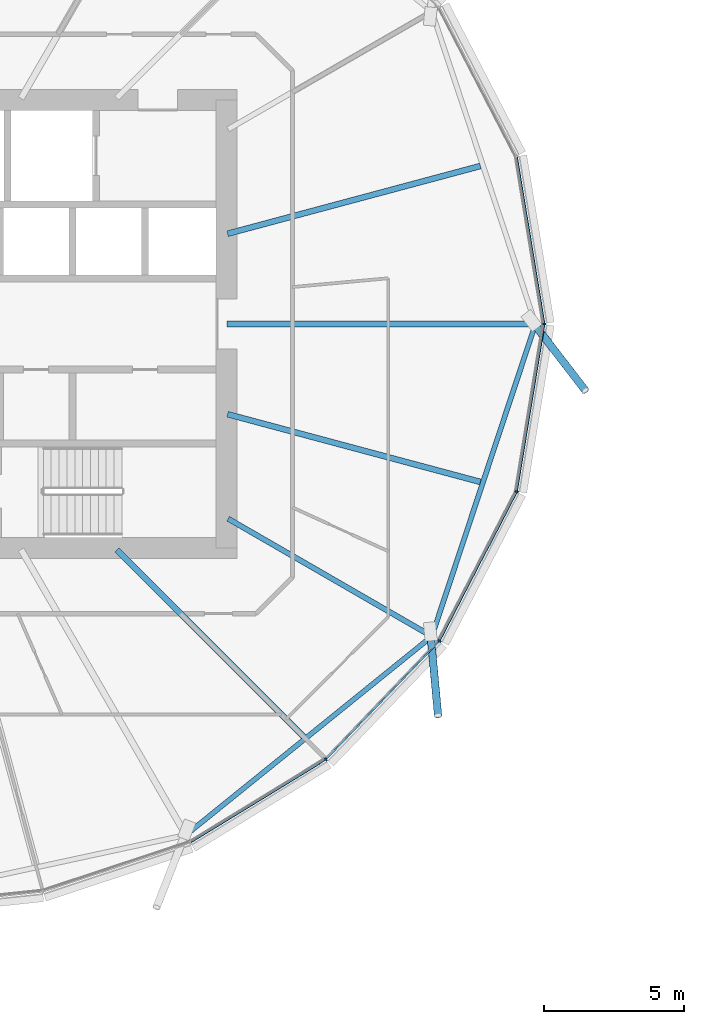
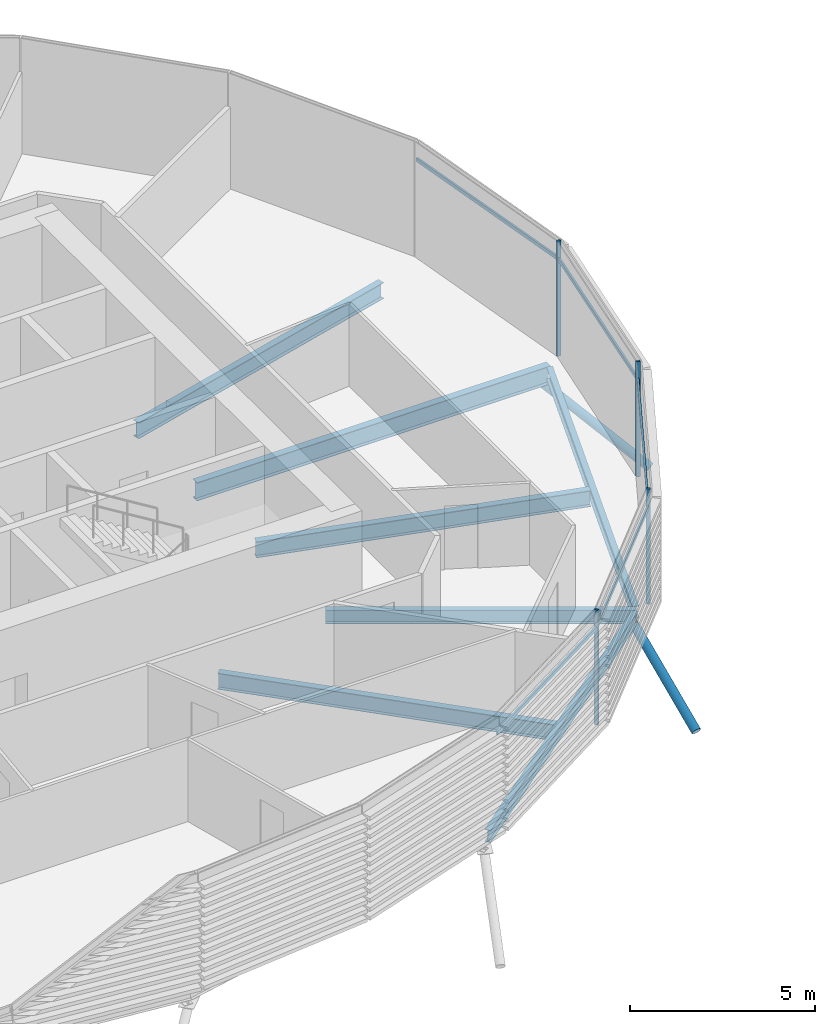
# One storey, part 7 of 39: 11 members, 7 beams, 1 element without a shape of its own.
"""IFC4 building model written with IfcOpenShell, lengths in metres."""

from ifc_helpers import new_model, si_unit, direction, frame, origin, origin_2d, place, context, subcontext, project, spatial, rectangle, hollow_circle, i_section, extrude, clip, halfspace, material, material_profile, profile_set, type_object, element, aggregate, save


model = new_model("IFC4")

# Units and contexts
model_context = context("Model", 3, precision=1e-05, world=origin(), true_north=direction((0.0, 1.0)))
body_context = subcontext(model_context, "Body", "Model", "MODEL_VIEW")
ifc_project = project(units=[si_unit("LENGTHUNIT", "METRE"), si_unit("AREAUNIT", "SQUARE_METRE"), si_unit("VOLUMEUNIT", "CUBIC_METRE"), si_unit("PLANEANGLEUNIT", "RADIAN"), si_unit("MASSUNIT", "GRAM", prefix="KILO")], contexts=[model_context])

# Site, building, storey
site_placement = place(None, origin())
site = spatial("IfcSite", under=ifc_project, at=site_placement, CompositionType="ELEMENT")
building_placement = place(site_placement, origin())
building = spatial("IfcBuilding", under=site, at=building_placement, Name="Rimbun Link Towers", CompositionType="ELEMENT")
storey_placement = place(building_placement, frame((0.0, 0.0, 112.0)))
storey = spatial("IfcBuildingStorey", under=building, at=storey_placement, Name="L27", CompositionType="ELEMENT", Elevation=112.0)

# Curtain wall, members
ifc_material_1 = material(Name="Aluminium 6063-T6 and low-iron glass", Category="aluminium")
curtain_wall_type = type_object("IfcCurtainWallType", Name="CW1-Z2 unitised vision wall (zone 2)", PredefinedType="NOTDEFINED", material=ifc_material_1)
curtain_wall_placement = place(storey_placement, origin())
curtain_wall = element("IfcCurtainWall", 1, at=curtain_wall_placement, inside=storey, type_object=curtain_wall_type, Name="CW1 L27 T1", PredefinedType="NOTDEFINED")
ifc_material_2 = material(Name="Aluminium 6063-T6", Category="aluminium")
ifc_material_profile_1 = material_profile(ifc_material_2, rectangle(XDim=0.1201171875, YDim=0.06005859375, at=origin_2d()), Name="MULLION 60X120")
ifc_profile_set_1 = profile_set([ifc_material_profile_1], Name="Aluminium 6063-T6")
member_type_1 = type_object("IfcMemberType", Name="CW1 mullion 60X120", PredefinedType="MULLION", material=ifc_profile_set_1)
member_1_placement = place(storey_placement, frame((-8.407470703125, 0.0, 0.0), z_axis=(0.0, 0.0, 1.0), x_axis=(1.0, 0.0, 0.0)))
member_1 = element("IfcMember", 2, at=member_1_placement, type_object=member_type_1, Name="CW1 mullion", PredefinedType="MULLION", context=body_context, shape_type="SweptSolid", body=[
    extrude(rectangle(XDim=0.1201171875, YDim=0.06005859375, at=origin_2d()), origin(), (0.0, 0.0, 1.0), 3.800048828125),
])
member_2_placement = place(storey_placement, frame((-16.205810546875, -15.55322265625, 0.0), z_axis=(0.0, 0.0, 1.0), x_axis=(0.627670379428, -0.77847921924, 0.0)))
member_2 = element("IfcMember", 3, at=member_2_placement, type_object=member_type_1, Name="CW1 mullion", PredefinedType="MULLION", context=body_context, shape_type="SweptSolid", body=[
    extrude(rectangle(XDim=0.1201171875, YDim=0.06005859375, at=origin_2d()), origin(), (0.0, 0.0, 1.0), 3.800048828125),
])
member_3_placement = place(storey_placement, frame((-12.14990234375, -11.32275390625, 0.0), z_axis=(0.0, 0.0, 1.0), x_axis=(0.813347457753, -0.581778233494, 0.0)))
member_3 = element("IfcMember", 4, at=member_3_placement, type_object=member_type_1, Name="CW1 mullion", PredefinedType="MULLION", context=body_context, shape_type="SweptSolid", body=[
    extrude(rectangle(XDim=0.1201171875, YDim=0.06005859375, at=origin_2d()), origin(), (0.0, 0.0, 1.0), 3.800048828125),
])
member_4_placement = place(storey_placement, frame((-9.39306640625, -5.994140625, 0.0), z_axis=(0.0, 0.0, 1.0), x_axis=(0.949162565402, -0.314786315522, 0.0)))
member_4 = element("IfcMember", 5, at=member_4_placement, type_object=member_type_1, Name="CW1 mullion", PredefinedType="MULLION", context=body_context, shape_type="SweptSolid", body=[
    extrude(rectangle(XDim=0.1201171875, YDim=0.06005859375, at=origin_2d()), origin(), (0.0, 0.0, 1.0), 3.800048828125),
])
ifc_material_3 = material(Name="Aluminium 6063-T6", Category="aluminium")
ifc_material_profile_2 = material_profile(ifc_material_3, rectangle(XDim=0.06005859375, YDim=0.1201171875, at=origin_2d()), Name="TRANSOM 60X120")
ifc_profile_set_2 = profile_set([ifc_material_profile_2], Name="Aluminium 6063-T6")
member_type_2 = type_object("IfcMemberType", Name="CW1 transom 60X120", PredefinedType="USERDEFINED", material=ifc_profile_set_2)
member_5_placement = place(storey_placement, frame((-9.3876953125, 5.955078125, 3.199951171875), z_axis=(0.162232671239, -0.986752532494, 0.0), x_axis=(0.986752532494, 0.162232671239, 0.0)))
member_5 = element("IfcMember", 6, at=member_5_placement, type_object=member_type_2, Name="CW1 transom", ObjectType="TRANSOM", PredefinedType="USERDEFINED", context=body_context, shape_type="SweptSolid", body=[
    extrude(rectangle(XDim=0.06005859375, YDim=0.1201171875, at=origin_2d()), origin(), (0.0, 0.0, 1.0), 5.995361328125),
])
member_6_placement = place(storey_placement, frame((-16.238525390625, -15.57177734375, 3.199951171875), z_axis=(-0.852195022347, -0.523224276852, 0.0), x_axis=(0.523224276852, -0.852195022347, 0.0)))
member_6 = element("IfcMember", 7, at=member_6_placement, type_object=member_type_2, Name="CW1 transom", ObjectType="TRANSOM", PredefinedType="USERDEFINED", context=body_context, shape_type="SweptSolid", body=[
    extrude(rectangle(XDim=0.06005859375, YDim=0.1201171875, at=origin_2d()), origin(), (0.0, 0.0, 1.0), 5.617919921875),
])
member_7_placement = place(storey_placement, frame((-12.177734375, -11.349609375, 3.199951171875), z_axis=(-0.692029109904, -0.721869594211, 0.0), x_axis=(0.721869594211, -0.692029109904, 0.0)))
member_7 = element("IfcMember", 8, at=member_7_placement, type_object=member_type_2, Name="CW1 transom", ObjectType="TRANSOM", PredefinedType="USERDEFINED", context=body_context, shape_type="SweptSolid", body=[
    extrude(rectangle(XDim=0.06005859375, YDim=0.1201171875, at=origin_2d()), origin(), (0.0, 0.0, 1.0), 5.784423828125),
])
member_8_placement = place(storey_placement, frame((-9.412109375, -6.028564453125, 3.199951171875), z_axis=(-0.459572084656, -0.888140472563, 0.0), x_axis=(0.888140472563, -0.459572084656, 0.0)))
member_8 = element("IfcMember", 9, at=member_8_placement, type_object=member_type_2, Name="CW1 transom", ObjectType="TRANSOM", PredefinedType="USERDEFINED", context=body_context, shape_type="SweptSolid", body=[
    extrude(rectangle(XDim=0.06005859375, YDim=0.1201171875, at=origin_2d()), origin(), (0.0, 0.0, 1.0), 5.921630859375),
])
member_9_placement = place(storey_placement, frame((-8.4150390625, -0.0390625, 3.199951171875), z_axis=(-0.162232671239, -0.986752532494, 0.0), x_axis=(0.986752532494, -0.162232671239, 0.0)))
member_9 = element("IfcMember", 10, at=member_9_placement, type_object=member_type_2, Name="CW1 transom", ObjectType="TRANSOM", PredefinedType="USERDEFINED", context=body_context, shape_type="SweptSolid", body=[
    extrude(rectangle(XDim=0.06005859375, YDim=0.1201171875, at=origin_2d()), origin(), (0.0, 0.0, 1.0), 5.995361328125),
])
aggregate(curtain_wall, [member_1, member_2, member_3, member_4, member_5, member_6, member_7, member_8, member_9])

# Members
ifc_material_4 = material(Name="Steel S355J2H", Category="steel")
ifc_material_profile_3 = material_profile(ifc_material_4, hollow_circle(Radius=0.136474609375, WallThickness=0.012451171875, at=origin_2d()), Name="CHS 273x12.5")
ifc_profile_set_3 = profile_set([ifc_material_profile_3], Name="Steel S355J2H")
member_type_3 = type_object("IfcMemberType", Name="Floor edge link CHS 273x12.5", PredefinedType="BRACE", material=ifc_profile_set_3)
member_10_placement = place(storey_placement, frame((-8.770751953125, 0.0, -0.878662109375), z_axis=(0.518144250317, -0.672114586124, -0.528950393688), x_axis=(0.791978333134, 0.610549195272, 0.0)))
element("IfcMember", 11, at=member_10_placement, inside=storey, type_object=member_type_3, Name="Floor edge link T1 L27 00", PredefinedType="BRACE", context=body_context, shape_type="Clipping", body=[
    clip(extrude(hollow_circle(Radius=0.136474609375, WallThickness=0.012451171875, at=origin_2d()), frame((0.0, 0.0, -0.456787109375)), (0.0, 0.0, 1.0), 4.00390625), halfspace(frame((0.0, 0.0, -0.215576171875), z_axis=(0.0, 0.848652744659, -0.528950393688)), False)),
])
member_11_placement = place(storey_placement, frame((-12.465087890625, -11.13427734375, -0.728515625), z_axis=(0.077766217446, -0.838289831586, -0.539650418033), x_axis=(0.99572465219, 0.092371083247, 0.0)))
element("IfcMember", 12, at=member_11_placement, inside=storey, type_object=member_type_3, Name="Floor edge link T1 L27 22", PredefinedType="BRACE", context=body_context, shape_type="Clipping", body=[
    clip(extrude(hollow_circle(Radius=0.136474609375, WallThickness=0.012451171875, at=origin_2d()), frame((0.0, 0.0, -0.4443359375)), (0.0, 0.0, 1.0), 3.86328125), halfspace(frame((0.0, 0.0, -0.209716796875), z_axis=(0.0, 0.841889200736, -0.539650418033)), False)),
])

# Beams
ifc_material_5 = material(Name="Steel S355J2", Category="steel")
ifc_material_profile_4 = material_profile(ifc_material_5, i_section(OverallWidth=0.177978515625, OverallDepth=0.406494140625, WebThickness=0.0078125, FlangeThickness=0.0126953125, at=origin_2d()), Name="UB 406x178x60")
ifc_profile_set_4 = profile_set([ifc_material_profile_4], Name="Steel S355J2")
beam_type_1 = type_object("IfcBeamType", Name="UB 406x178x60", PredefinedType="BEAM", material=ifc_profile_set_4)
beam_1_placement = place(storey_placement, frame((-21.119140625, -18.183349609375, -0.36328125), z_axis=(0.777963970016, 0.628308890083, 0.0), x_axis=(-0.628308890083, 0.777963970016, 0.0)))
element("IfcBeam", 13, at=beam_1_placement, inside=storey, type_object=beam_type_1, Name="Edge beam T1 L27 20-22", PredefinedType="BEAM", context=body_context, shape_type="SweptSolid", body=[
    extrude(i_section(OverallWidth=0.177978515625, OverallDepth=0.406494140625, WebThickness=0.0078125, FlangeThickness=0.0126953125, at=origin_2d()), origin(), (0.0, 0.0, 1.0), 11.076904296875),
])
beam_2_placement = place(storey_placement, frame((-12.390869140625, -11.066162109375, -0.36328125), z_axis=(0.314792777139, 0.949160422406, 0.0), x_axis=(-0.949160422406, 0.314792777139, 0.0)))
element("IfcBeam", 14, at=beam_2_placement, inside=storey, type_object=beam_type_1, Name="Edge beam T1 L27 22-00", PredefinedType="BEAM", context=body_context, shape_type="SweptSolid", body=[
    extrude(i_section(OverallWidth=0.177978515625, OverallDepth=0.406494140625, WebThickness=0.0078125, FlangeThickness=0.0126953125, at=origin_2d()), origin(), (0.0, 0.0, 1.0), 11.5380859375),
])
ifc_material_6 = material(Name="Steel S355J2", Category="steel")
ifc_material_profile_5 = material_profile(ifc_material_6, i_section(OverallWidth=0.18994140625, OverallDepth=0.453369140625, WebThickness=0.008544921875, FlangeThickness=0.0126953125, at=origin_2d()), Name="UB 457x191x67")
ifc_profile_set_5 = profile_set([ifc_material_profile_5], Name="Steel S355J2")
beam_type_2 = type_object("IfcBeamType", Name="UB 457x191x67", PredefinedType="BEAM", material=ifc_profile_set_5)
beam_3_placement = place(storey_placement, frame((-19.70166015625, -6.9560546875, -0.38671875), z_axis=(0.866025500329, -0.49999983278, 0.0), x_axis=(0.49999983278, 0.866025500329, 0.0)))
element("IfcBeam", 15, at=beam_3_placement, inside=storey, type_object=beam_type_2, Name="Radial beam T1 L27 22", PredefinedType="BEAM", context=body_context, shape_type="SweptSolid", body=[
    extrude(i_section(OverallWidth=0.18994140625, OverallDepth=0.453369140625, WebThickness=0.008544921875, FlangeThickness=0.0126953125, at=origin_2d()), origin(), (0.0, 0.0, 1.0), 8.40625),
])
ifc_material_7 = material(Name="Steel S355J2", Category="steel")
ifc_material_profile_6 = material_profile(ifc_material_7, i_section(OverallWidth=0.209228515625, OverallDepth=0.533203125, WebThickness=0.010009765625, FlangeThickness=0.015625, at=origin_2d()), Name="UB 533x210x92")
ifc_profile_set_6 = profile_set([ifc_material_profile_6], Name="Steel S355J2")
beam_type_3 = type_object("IfcBeamType", Name="UB 533x210x92", PredefinedType="BEAM", material=ifc_profile_set_6)
beam_4_placement = place(storey_placement, frame((-19.721923828125, 3.222900390625, -0.426513671875), z_axis=(0.965924050136, 0.258825673706, 0.0), x_axis=(-0.258825673706, 0.965924050136, 0.0)))
element("IfcBeam", 16, at=beam_4_placement, inside=storey, type_object=beam_type_3, Name="Radial beam T1 L27 01", PredefinedType="BEAM", context=body_context, shape_type="SweptSolid", body=[
    extrude(i_section(OverallWidth=0.209228515625, OverallDepth=0.533203125, WebThickness=0.010009765625, FlangeThickness=0.015625, at=origin_2d()), origin(), (0.0, 0.0, 1.0), 9.353515625),
])
beam_5_placement = place(storey_placement, frame((-23.67529296875, -8.07470703125, -0.426513671875), z_axis=(0.707106781187, -0.707106781187, 0.0), x_axis=(0.707106781187, 0.707106781187, 0.0)))
element("IfcBeam", 17, at=beam_5_placement, inside=storey, type_object=beam_type_3, Name="Radial beam T1 L27 21", PredefinedType="BEAM", context=body_context, shape_type="SweptSolid", body=[
    extrude(i_section(OverallWidth=0.209228515625, OverallDepth=0.533203125, WebThickness=0.010009765625, FlangeThickness=0.015625, at=origin_2d()), origin(), (0.0, 0.0, 1.0), 9.433349609375),
])
beam_6_placement = place(storey_placement, frame((-19.721923828125, -3.222900390625, -0.426513671875), z_axis=(0.965924050136, -0.258825673706, 0.0), x_axis=(0.258825673706, 0.965924050136, 0.0)))
element("IfcBeam", 18, at=beam_6_placement, inside=storey, type_object=beam_type_3, Name="Radial beam T1 L27 23", PredefinedType="BEAM", context=body_context, shape_type="SweptSolid", body=[
    extrude(i_section(OverallWidth=0.209228515625, OverallDepth=0.533203125, WebThickness=0.010009765625, FlangeThickness=0.015625, at=origin_2d()), origin(), (0.0, 0.0, 1.0), 9.353515625),
])
ifc_material_8 = material(Name="Steel S355J2", Category="steel")
ifc_material_profile_7 = material_profile(ifc_material_8, i_section(OverallWidth=0.2275390625, OverallDepth=0.6025390625, WebThickness=0.010498046875, FlangeThickness=0.014892578125, at=origin_2d()), Name="UB 610x229x101")
ifc_profile_set_7 = profile_set([ifc_material_profile_7], Name="Steel S355J2")
beam_type_4 = type_object("IfcBeamType", Name="UB 610x229x101", PredefinedType="BEAM", material=ifc_profile_set_7)
beam_7_placement = place(storey_placement, frame((-19.7490234375, 0.0, -0.461181640625), z_axis=(1.0, 0.0, 0.0), x_axis=(0.0, 1.0, 0.0)))
element("IfcBeam", 19, at=beam_7_placement, inside=storey, type_object=beam_type_4, Name="Radial beam T1 L27 00", PredefinedType="BEAM", context=body_context, shape_type="SweptSolid", body=[
    extrude(i_section(OverallWidth=0.2275390625, OverallDepth=0.6025390625, WebThickness=0.010498046875, FlangeThickness=0.014892578125, at=origin_2d()), origin(), (0.0, 0.0, 1.0), 11.0283203125),
])

save(model, "model.ifc")
